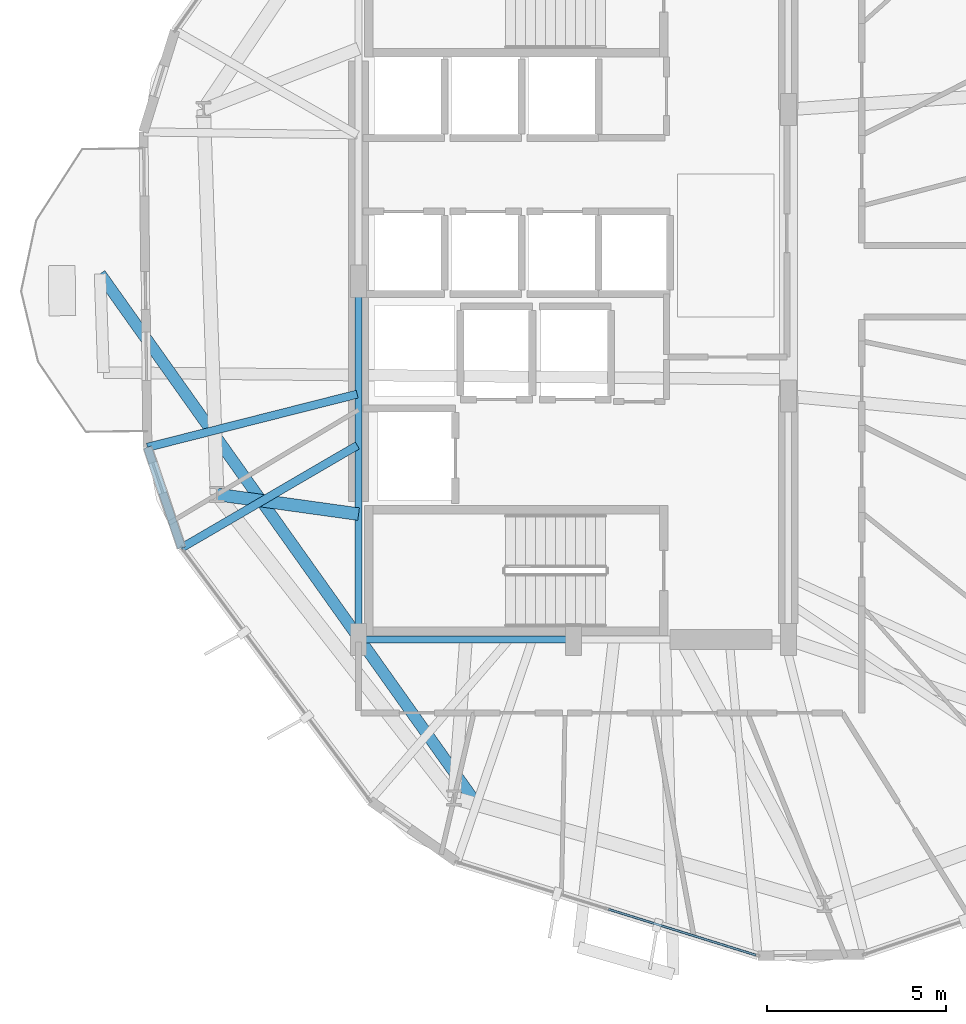
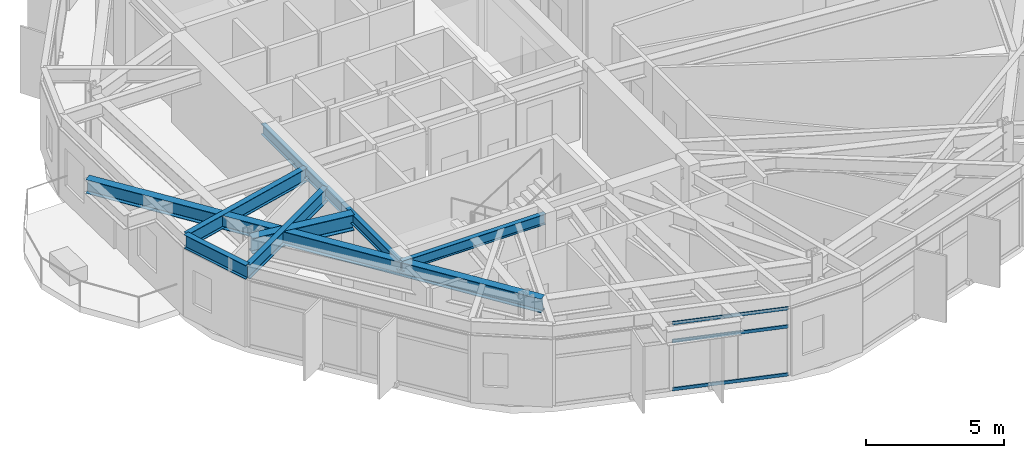
# One storey, part 5 of 25: 7 beams, 3 members, 1 element without a shape of its own.
"""IFC4 building model written with IfcOpenShell, lengths in metres."""

from ifc_helpers import new_model, si_unit, direction, frame, origin, origin_2d, place, context, subcontext, project, spatial, hollow_rectangle, i_section, extrude, material, layer, layer_set, material_profile, profile_set, type_object, element, aggregate, save


model = new_model("IFC4")

# Units and contexts
model_context = context("Model", 3, precision=1e-05, world=origin(), true_north=direction((0.0, 1.0)))
body_context = subcontext(model_context, "Body", "Model", "MODEL_VIEW")
ifc_project = project(units=[si_unit("LENGTHUNIT", "METRE"), si_unit("AREAUNIT", "SQUARE_METRE"), si_unit("VOLUMEUNIT", "CUBIC_METRE"), si_unit("PLANEANGLEUNIT", "RADIAN"), si_unit("MASSUNIT", "GRAM", prefix="KILO")], contexts=[model_context])

# Site, building, storey
site_placement = place(None, origin())
site = spatial("IfcSite", under=ifc_project, at=site_placement, CompositionType="ELEMENT")
building_placement = place(site_placement, origin())
building = spatial("IfcBuilding", under=site, at=building_placement, Name="Soratama Intermodal Tower", CompositionType="ELEMENT")
storey_placement = place(building_placement, frame((0.0, 0.0, 106.89990234375)))
storey = spatial("IfcBuildingStorey", under=building, at=storey_placement, Name="L25", CompositionType="ELEMENT", Elevation=106.89990234375)

# Beams
ifc_material_1 = material(Name="Structural steel ASTM A992 Grade 50", Category="steel")
ifc_material_profile_1 = material_profile(ifc_material_1, i_section(OverallWidth=0.324951171875, OverallDepth=0.615966796875, WebThickness=0.013916015625, FlangeThickness=0.021484375, FilletRadius=0.013916015625, at=origin_2d()), Name="W24X117")
ifc_profile_set_1 = profile_set([ifc_material_profile_1], Name="Structural steel ASTM A992 Grade 50")
beam_type_1 = type_object("IfcBeamType", Name="BM-CANT-W24X117", PredefinedType="BEAM", material=ifc_profile_set_1)
beam_1_placement = place(storey_placement, frame((35.886962890625, 10.424072265625, 3.2919921875), z_axis=(-0.579189946767, 0.815192618689, 0.0), x_axis=(-0.815192618689, -0.579189946767, 0.0)))
element("IfcBeam", 1, at=beam_1_placement, inside=storey, type_object=beam_type_1, Name="BM-L25-CANT-2-1", PredefinedType="BEAM", context=body_context, shape_type="SweptSolid", body=[
    extrude(i_section(OverallWidth=0.324951171875, OverallDepth=0.615966796875, WebThickness=0.013916015625, FlangeThickness=0.021484375, FilletRadius=0.013916015625, at=origin_2d()), origin(), (0.0, 0.0, 1.0), 18.135498046875),
])
ifc_material_2 = material(Name="Structural steel ASTM A992 Grade 50", Category="steel")
ifc_material_profile_2 = material_profile(ifc_material_2, i_section(OverallWidth=0.19091796875, OverallDepth=0.4599609375, WebThickness=0.010009765625, FlangeThickness=0.01611328125, FilletRadius=0.010986328125, at=origin_2d()), Name="W18X55")
ifc_profile_set_2 = profile_set([ifc_material_profile_2], Name="Structural steel ASTM A992 Grade 50")
beam_type_2 = type_object("IfcBeamType", Name="BM-FLR-W18X55", PredefinedType="BEAM", material=ifc_profile_set_2)
beam_2_placement = place(storey_placement, frame((32.60009765625, 15.0, 3.3701171875), z_axis=(1.0, 0.0, 0.0), x_axis=(0.0, 1.0, 0.0)))
element("IfcBeam", 2, at=beam_2_placement, inside=storey, type_object=beam_type_2, Name="BM-L25-CRING-01", PredefinedType="BEAM", context=body_context, shape_type="SweptSolid", body=[
    extrude(i_section(OverallWidth=0.19091796875, OverallDepth=0.4599609375, WebThickness=0.010009765625, FlangeThickness=0.01611328125, FilletRadius=0.010986328125, at=origin_2d()), origin(), (0.0, 0.0, 1.0), 6.0),
])
beam_3_placement = place(storey_placement, frame((32.60009765625, 25.0, 3.3701171875), z_axis=(0.0, -1.0, 0.0), x_axis=(1.0, 0.0, 0.0)))
element("IfcBeam", 3, at=beam_3_placement, inside=storey, type_object=beam_type_2, Name="BM-L25-CRING-09", PredefinedType="BEAM", context=body_context, shape_type="SweptSolid", body=[
    extrude(i_section(OverallWidth=0.19091796875, OverallDepth=0.4599609375, WebThickness=0.010009765625, FlangeThickness=0.01611328125, FilletRadius=0.010986328125, at=origin_2d()), origin(), (0.0, 0.0, 1.0), 10.0),
])
ifc_material_3 = material(Name="Structural steel ASTM A992 Grade 50", Category="steel")
ifc_material_profile_3 = material_profile(ifc_material_3, i_section(OverallWidth=0.35498046875, OverallDepth=0.695068359375, WebThickness=0.015380859375, FlangeThickness=0.02490234375, FilletRadius=0.01611328125, at=origin_2d()), Name="W27X146")
ifc_profile_set_3 = profile_set([ifc_material_profile_3], Name="Structural steel ASTM A992 Grade 50")
beam_type_3 = type_object("IfcBeamType", Name="BM-RING-W27X146", PredefinedType="BEAM", material=ifc_profile_set_3)
beam_4_placement = place(storey_placement, frame((32.60009765625, 18.5, 3.252685546875), z_axis=(-0.990482077962, 0.137641756879, 0.0), x_axis=(-0.137641756879, -0.990482077962, 0.0)))
element("IfcBeam", 4, at=beam_4_placement, inside=storey, type_object=beam_type_3, Name="BM-L25-RAD-06", PredefinedType="BEAM", context=body_context, shape_type="SweptSolid", body=[
    extrude(i_section(OverallWidth=0.35498046875, OverallDepth=0.695068359375, WebThickness=0.015380859375, FlangeThickness=0.02490234375, FilletRadius=0.01611328125, at=origin_2d()), origin(), (0.0, 0.0, 1.0), 3.9892578125),
])
ifc_material_4 = material(Name="Structural steel ASTM A992 Grade 50", Category="steel")
ifc_material_profile_4 = material_profile(ifc_material_4, i_section(OverallWidth=0.22900390625, OverallDepth=0.612060546875, WebThickness=0.011962890625, FlangeThickness=0.01953125, FilletRadius=0.012939453125, at=origin_2d()), Name="W24X84")
ifc_profile_set_4 = profile_set([ifc_material_profile_4], Name="Structural steel ASTM A992 Grade 50")
beam_type_4 = type_object("IfcBeamType", Name="BM-SPN-W24X84", PredefinedType="SPANDREL", material=ifc_profile_set_4)
beam_5_placement = place(storey_placement, frame((26.705078125, 20.365966796875, 3.294189453125), z_axis=(0.320940422587, -0.947099385043, 0.0), x_axis=(0.947099385043, 0.320940422587, 0.0)))
element("IfcBeam", 5, at=beam_5_placement, inside=storey, type_object=beam_type_4, Name="BS-L25-CRN05", PredefinedType="SPANDREL", context=body_context, shape_type="SweptSolid", body=[
    extrude(i_section(OverallWidth=0.22900390625, OverallDepth=0.612060546875, WebThickness=0.011962890625, FlangeThickness=0.01953125, FilletRadius=0.012939453125, at=origin_2d()), origin(), (0.0, 0.0, 1.0), 2.966064453125),
])
ifc_material_5 = material(Name="Structural steel ASTM A992 Grade 50", Category="steel")
ifc_material_profile_5 = material_profile(ifc_material_5, i_section(OverallWidth=0.22900390625, OverallDepth=0.612060546875, WebThickness=0.011962890625, FlangeThickness=0.01953125, FilletRadius=0.012939453125, at=origin_2d()), Name="W24X84")
ifc_profile_set_5 = profile_set([ifc_material_profile_5], Name="Structural steel ASTM A992 Grade 50")
beam_type_5 = type_object("IfcBeamType", Name="BM-TIE-W24X84", PredefinedType="BEAM", material=ifc_profile_set_5)
beam_6_placement = place(storey_placement, frame((32.56103515625, 21.85009765625, 3.294189453125), z_axis=(-0.969352932091, -0.245672328616, 0.0), x_axis=(0.245672328616, -0.969352932091, 0.0)))
element("IfcBeam", 6, at=beam_6_placement, inside=storey, type_object=beam_type_5, Name="BM-L25-TIE1-05", PredefinedType="BEAM", context=body_context, shape_type="SweptSolid", body=[
    extrude(i_section(OverallWidth=0.22900390625, OverallDepth=0.612060546875, WebThickness=0.011962890625, FlangeThickness=0.01953125, FilletRadius=0.012939453125, at=origin_2d()), origin(), (0.0, 0.0, 1.0), 6.041015625),
])
beam_7_placement = place(storey_placement, frame((32.56494140625, 20.4169921875, 3.294189453125), z_axis=(-0.863998610788, -0.503494191184, 0.0), x_axis=(0.503494191184, -0.863998610788, 0.0)))
element("IfcBeam", 7, at=beam_7_placement, inside=storey, type_object=beam_type_5, Name="BM-L25-TIE0-06", PredefinedType="BEAM", context=body_context, shape_type="SweptSolid", body=[
    extrude(i_section(OverallWidth=0.22900390625, OverallDepth=0.612060546875, WebThickness=0.011962890625, FlangeThickness=0.01953125, FilletRadius=0.012939453125, at=origin_2d()), origin(), (0.0, 0.0, 1.0), 5.680419921875),
])

# Curtain wall, members
ifc_material_6 = material(Name="Double-glazed aluminium curtain wall", Category="aluminium")
ifc_layer = layer(ifc_material_6, 0.159912109375)
ifc_layer_set = layer_set([ifc_layer], Name="Double-glazed aluminium curtain wall")
curtain_wall_type = type_object("IfcCurtainWallType", Name="CW-SYS-3", PredefinedType="NOTDEFINED", material=ifc_layer_set)
curtain_wall_placement = place(storey_placement, origin())
curtain_wall = element("IfcCurtainWall", 8, at=curtain_wall_placement, inside=storey, type_object=curtain_wall_type, Name="L25 Faceted Curtain Wall F07", PredefinedType="NOTDEFINED")
ifc_material_7 = material(Name="Anodised aluminium AA 6063-T6", Category="aluminium")
ifc_material_profile_6 = material_profile(ifc_material_7, hollow_rectangle(XDim=0.06494140625, YDim=0.14990234375, WallThickness=0.0048828125, InnerFilletRadius=0.0048828125, OuterFilletRadius=0.010009765625, at=origin_2d()), Name="CWT150X65X5")
ifc_profile_set_6 = profile_set([ifc_material_profile_6], Name="Anodised aluminium AA 6063-T6")
member_type = type_object("IfcMemberType", Name="TT-CWT-1", PredefinedType="USERDEFINED", material=ifc_profile_set_6)
member_1_placement = place(storey_placement, frame((39.577392578125, 7.467529296875, 0.030029296875), z_axis=(0.954863911744, -0.29704361641, 0.0), x_axis=(0.29704361641, 0.954863911744, 0.0)))
member_1 = element("IfcMember", 9, at=member_1_placement, type_object=member_type, Name="CW-3 transom 2.1", ObjectType="TRANSOM", PredefinedType="USERDEFINED", context=body_context, shape_type="SweptSolid", body=[
    extrude(hollow_rectangle(XDim=0.06494140625, YDim=0.14990234375, WallThickness=0.0048828125, InnerFilletRadius=0.0048828125, OuterFilletRadius=0.010009765625, at=origin_2d()), origin(), (0.0, 0.0, 1.0), 4.313232421875),
])
member_2_placement = place(storey_placement, frame((39.577392578125, 7.467529296875, 2.150146484375), z_axis=(0.954863911744, -0.29704361641, 0.0), x_axis=(0.29704361641, 0.954863911744, 0.0)))
member_2 = element("IfcMember", 10, at=member_2_placement, type_object=member_type, Name="CW-3 transom 2.2", ObjectType="TRANSOM", PredefinedType="USERDEFINED", context=body_context, shape_type="SweptSolid", body=[
    extrude(hollow_rectangle(XDim=0.06494140625, YDim=0.14990234375, WallThickness=0.0048828125, InnerFilletRadius=0.0048828125, OuterFilletRadius=0.010009765625, at=origin_2d()), origin(), (0.0, 0.0, 1.0), 4.313232421875),
])
member_3_placement = place(storey_placement, frame((39.577392578125, 7.467529296875, 2.94921875), z_axis=(0.954863911744, -0.29704361641, 0.0), x_axis=(0.29704361641, 0.954863911744, 0.0)))
member_3 = element("IfcMember", 11, at=member_3_placement, type_object=member_type, Name="CW-3 transom 2.3", ObjectType="TRANSOM", PredefinedType="USERDEFINED", context=body_context, shape_type="SweptSolid", body=[
    extrude(hollow_rectangle(XDim=0.06494140625, YDim=0.14990234375, WallThickness=0.0048828125, InnerFilletRadius=0.0048828125, OuterFilletRadius=0.010009765625, at=origin_2d()), origin(), (0.0, 0.0, 1.0), 4.313232421875),
])
aggregate(curtain_wall, [member_1, member_2, member_3])

save(model, "model.ifc")
